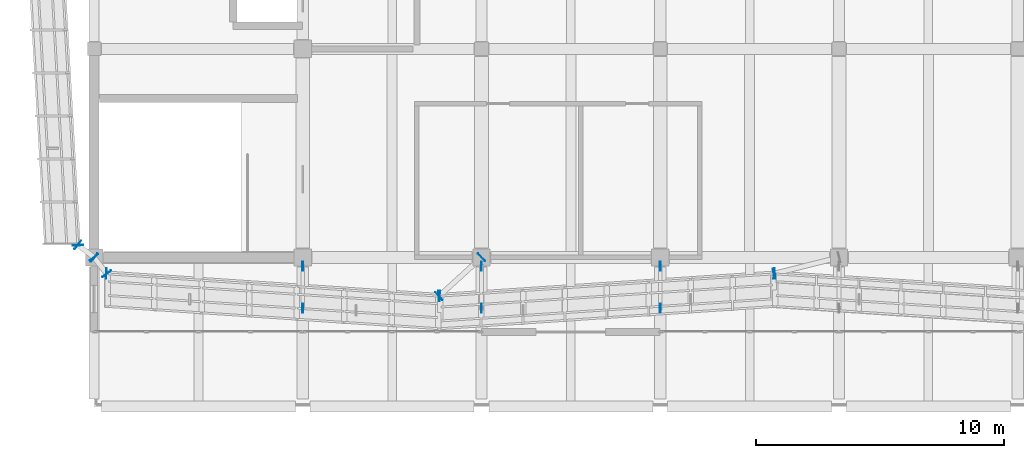
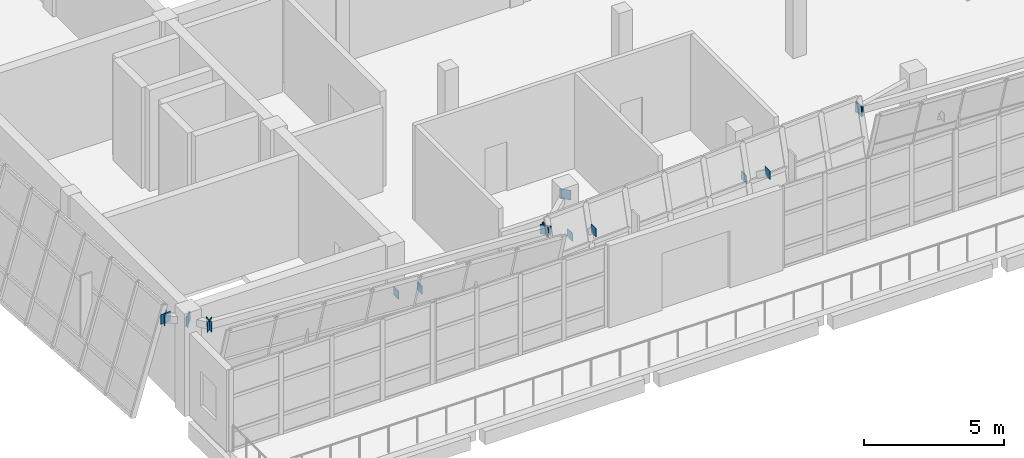
# One storey, part 45 of 67: 19 plates.
"""IFC4 building model written with IfcOpenShell, lengths in metres."""

from ifc_helpers import new_model, si_unit, direction, frame, origin, origin_2d, place, context, subcontext, project, spatial, rectangle, extrude, material, layer, layer_set, type_object, element, save


model = new_model("IFC4")

# Units and contexts
model_context = context("Model", 3, precision=1e-05, world=origin(), true_north=direction((0.0, 1.0)))
body_context = subcontext(model_context, "Body", "Model", "MODEL_VIEW")
ifc_project = project(units=[si_unit("LENGTHUNIT", "METRE"), si_unit("AREAUNIT", "SQUARE_METRE"), si_unit("VOLUMEUNIT", "CUBIC_METRE"), si_unit("PLANEANGLEUNIT", "RADIAN"), si_unit("MASSUNIT", "GRAM", prefix="KILO")], contexts=[model_context])

# Site, building, storey
site_placement = place(None, origin())
site = spatial("IfcSite", under=ifc_project, at=site_placement, CompositionType="ELEMENT")
building_placement = place(site_placement, origin())
building = spatial("IfcBuilding", under=site, at=building_placement, Name="Pellamere Symphony Hall", CompositionType="ELEMENT")
storey_placement = place(building_placement, frame((0.0, 0.0, 19.5)))
storey = spatial("IfcBuildingStorey", under=building, at=storey_placement, Name="L04", CompositionType="ELEMENT", Elevation=19.5)

# Plates
ifc_material = material(Name="Steel CSA G40.21 350W", Category="steel")
ifc_layer_1 = layer(ifc_material, 0.02490234375, Name="Steel CSA G40.21 350W")
ifc_layer_set_1 = layer_set([ifc_layer_1], Name="Steel CSA G40.21 350W")
plate_type_1 = type_object("IfcPlateType", Name="Steel Connection Plate KP-01 420x420x25", PredefinedType="SHEET", material=ifc_layer_set_1)
for number, where, z_axis, x_axis, name in (
    (1, (50.887939453125, 29.350830078125, 3.72998046875), (0.0, 0.0, 1.0), (0.997754957227, -0.066970481029, 0.0), "Crystal Spandrel End Cap Plate CW-CR01-1 (L04)"),
    (2, (64.31201171875, 28.44921875, 3.72998046875), (0.0, 0.0, 1.0), (0.997754957227, -0.066970481029, 0.0), "Crystal Spandrel End Cap Plate CW-CR01-2 (L04)"),
    (3, (50.392578125, 30.009521484375, 3.72998046875), (0.0, 0.0, 1.0), (0.609730238396, -0.792609005996, 0.0), "Outrigger End Cap Plate 002.1 (L04)"),
    (4, (50.9072265625, 29.340576171875, 3.72998046875), (0.0, 0.0, 1.0), (0.609730238396, -0.792609005996, 0.0), "Outrigger End Cap Plate 002.2 (L04)"),
    (5, (66.0087890625, 30.008056640625, 3.72998046875), (0.0, 0.0, 1.0), (-0.738925912503, -0.673786684219, 0.0), "Outrigger End Cap Plate 003.1 (L04)"),
    (6, (64.291015625, 28.44189453125, 3.72998046875), (0.0, 0.0, 1.0), (-0.738925912503, -0.673786684219, 0.0), "Outrigger End Cap Plate 003.2 (L04)"),
    (7, (64.2880859375, 28.44921875, 3.72998046875), (0.0, 0.0, 1.0), (0.997789886117, 0.066448048599, 0.0), "Crystal Spandrel End Cap Plate CW-CR02-1 (L04)"),
    (8, (77.81201171875, 29.350830078125, 3.72998046875), (0.0, 0.0, 1.0), (0.997789886117, 0.066448048599, 0.0), "Crystal Spandrel End Cap Plate CW-CR02-2 (L04)"),
    (9, (77.788330078125, 29.34716796875, 3.72998046875), (0.0, 0.0, 1.0), (-0.97012659649, -0.242599230795, 0.0), "Outrigger End Cap Plate 005.2 (L04)"),
    (10, (77.7880859375, 29.350830078125, 3.72998046875), (0.0, 0.0, 1.0), (0.997813020072, -0.066099750182, 0.0), "Crystal Spandrel End Cap Plate CW-CR03-1 (L04)"),
    (11, (49.750732421875, 30.488037109375, 3.72998046875), (0.0, 0.0, 1.0), (0.05756402696, -0.998341816614, 0.0), "Crystal Spandrel End Cap Plate CW-CR18-2 (L04)"),
    (12, (50.409423828125, 29.99267578125, 3.72998046875), (0.0, 0.0, 1.0), (-0.792609005996, 0.609730238396, 0.0), "Outrigger End Cap Plate 125.1 (L04)"),
    (13, (49.740478515625, 30.50732421875, 3.72998046875), (0.0, 0.0, 1.0), (-0.792609005996, 0.609730238396, 0.0), "Outrigger End Cap Plate 125.2 (L04)"),
):
    element("IfcPlate", number, at=place(storey_placement, frame(where, z_axis=z_axis, x_axis=x_axis)), inside=storey, type_object=plate_type_1, Name=name, PredefinedType="SHEET", context=body_context, shape_type="SweptSolid", body=[
        extrude(rectangle(XDim=0.02490234375, YDim=0.419921875, at=origin_2d()), origin(), (0.0, 0.0, 1.0), 0.419921875),
    ])
ifc_layer_2 = layer(ifc_material, 0.02197265625, Name="Steel CSA G40.21 350W")
ifc_layer_set_2 = layer_set([ifc_layer_2], Name="Steel CSA G40.21 350W")
plate_type_2 = type_object("IfcPlateType", Name="Steel Connection Plate KP-02 360x360x22", PredefinedType="SHEET", material=ifc_layer_set_2)
for number, where, z_axis, x_axis, name in (
    (14, (58.800048828125, 29.64990234375, 2.19970703125), (0.0, 0.0, 1.0), (1.0, 0.0, 0.0), "Canopy Knee Strut Gusset Plate 1.1"),
    (15, (58.800048828125, 27.949951171875, 3.43017578125), (0.0, 0.0, 1.0), (1.0, 0.0, 0.0), "Canopy Knee Strut Gusset Plate 1.2"),
    (16, (66.0, 29.64990234375, 2.19970703125), (0.0, 0.0, 1.0), (1.0, 0.0, 0.0), "Canopy Knee Strut Gusset Plate 2.1"),
    (17, (66.0, 27.949951171875, 3.43017578125), (0.0, 0.0, 1.0), (1.0, 0.0, 0.0), "Canopy Knee Strut Gusset Plate 2.2"),
    (18, (73.199951171875, 29.64990234375, 2.19970703125), (0.0, 0.0, 1.0), (1.0, 0.0, 0.0), "Canopy Knee Strut Gusset Plate 3.1"),
    (19, (73.199951171875, 27.949951171875, 3.43017578125), (0.0, 0.0, 1.0), (1.0, 0.0, 0.0), "Canopy Knee Strut Gusset Plate 3.2"),
):
    element("IfcPlate", number, at=place(storey_placement, frame(where, z_axis=z_axis, x_axis=x_axis)), inside=storey, type_object=plate_type_2, Name=name, PredefinedType="SHEET", context=body_context, shape_type="SweptSolid", body=[
        extrude(rectangle(XDim=0.02197265625, YDim=0.360107421875, at=origin_2d()), origin(), (0.0, 0.0, 1.0), 0.360107421875),
    ])

save(model, "model.ifc")
